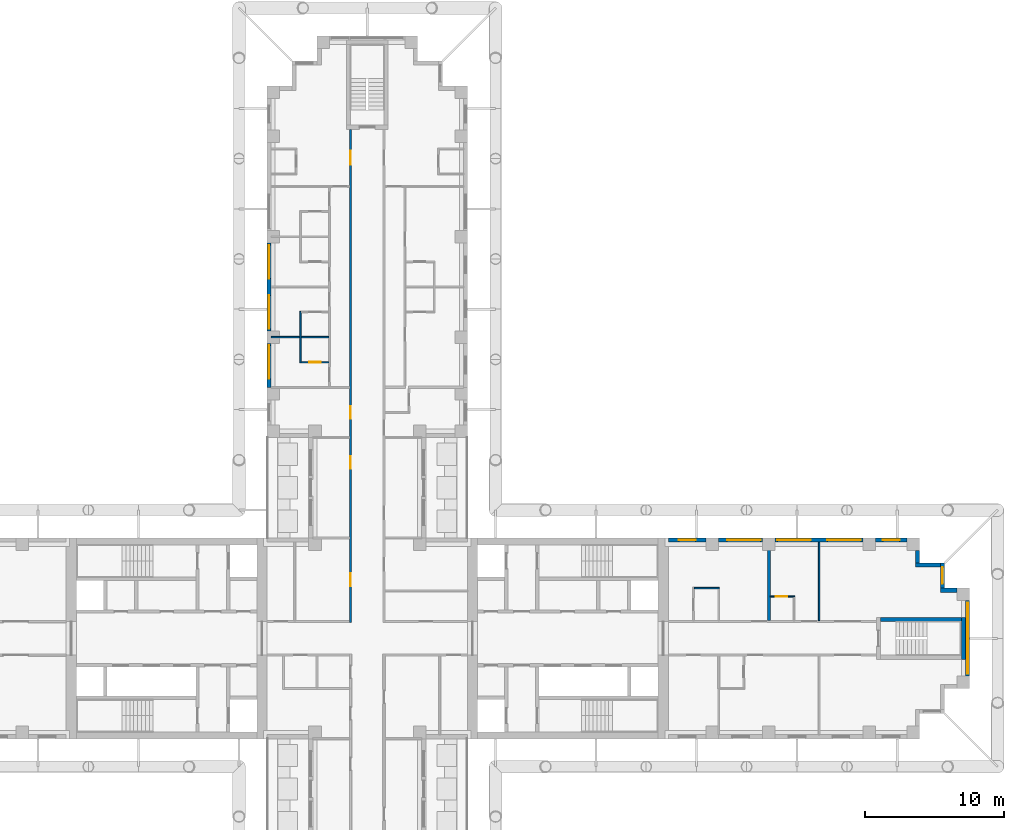
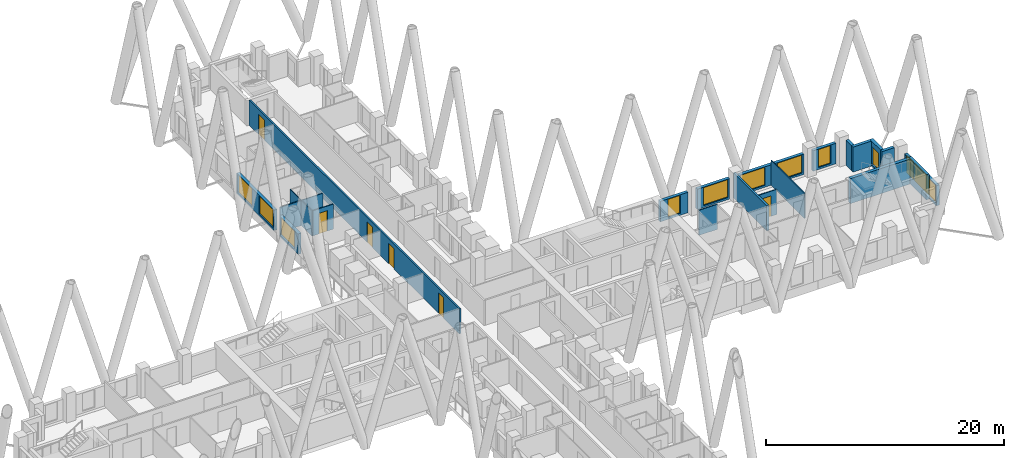
# One storey, part 11 of 17: 21 walls, 12 windows, 6 doors, 18 openings.
"""IFC4 building model written with IfcOpenShell, lengths in metres."""

from ifc_helpers import new_model, si_unit, direction, frame, frame_2d, origin, place, context, subcontext, project, spatial, rectangle, extrude, material, layer, layer_set, type_object, element, fill, save


model = new_model("IFC4")

# Units and contexts
model_context = context("Model", 3, precision=1e-05, world=origin(), true_north=direction((0.0, 1.0)))
body_context = subcontext(model_context, "Body", "Model", "MODEL_VIEW")
ifc_project = project(units=[si_unit("LENGTHUNIT", "METRE"), si_unit("AREAUNIT", "SQUARE_METRE"), si_unit("VOLUMEUNIT", "CUBIC_METRE"), si_unit("PLANEANGLEUNIT", "RADIAN"), si_unit("MASSUNIT", "GRAM", prefix="KILO")], contexts=[model_context])

# Site, building, storey
site_placement = place(None, origin())
site = spatial("IfcSite", under=ifc_project, at=site_placement, CompositionType="ELEMENT")
building_placement = place(site_placement, origin())
building = spatial("IfcBuilding", under=site, at=building_placement, Name="Fustian Cross Tower", CompositionType="ELEMENT")
storey_placement = place(building_placement, frame((0.0, 0.0, 32.699951171875)))
storey = spatial("IfcBuildingStorey", under=building, at=storey_placement, Name="L09", CompositionType="ELEMENT", Elevation=32.699951171875)

# Wall, openings, doors
ifc_material_1 = material(Name="Plasterboard on steel stud", Category="steel")
ifc_layer_1 = layer(ifc_material_1, 0.14990234375)
ifc_layer_set_1 = layer_set([ifc_layer_1], Name="Plasterboard on steel stud")
wall_type_1 = type_object("IfcWallType", Name="COMPARTMENT WALL 150 EI 60", PredefinedType="PARTITIONING", material=ifc_layer_set_1)
wall_1_placement = place(storey_placement, frame((-1.199951171875, 1.125, 0.0), z_axis=(0.0, 0.0, 1.0), x_axis=(0.0, 1.0, 0.0)))
wall_1 = element("IfcWall", 1, at=wall_1_placement, inside=storey, type_object=wall_type_1, Name="Partition 46", PredefinedType="PARTITIONING", context=body_context, shape_type="SweptSolid", body=[
    extrude(rectangle(XDim=35.375, YDim=0.14990234375, at=frame_2d((17.6875, 0.0))), origin(), (0.0, 0.0, 1.0), 2.574951171875),
])
opening_1_placement = place(wall_1_placement, frame((2.625, 0.0, 0.0)))
opening_1 = element("IfcOpeningElement", 2, at=opening_1_placement, cuts=wall_1, Name="Opening D06003", PredefinedType="OPENING", context=body_context, shape_type="SweptSolid", body=[
    extrude(rectangle(XDim=0.89990234375, YDim=2.10009765625, at=frame_2d((0.449951171875, 1.050048828125))), frame((0.0, 0.0849609375, 0.0), z_axis=(0.0, -1.0, 0.0), x_axis=(1.0, 0.0, 0.0)), (0.0, 0.0, 1.0), 0.169921875),
])
opening_2_placement = place(wall_1_placement, frame((11.02490234375, 0.0, 0.0)))
opening_2 = element("IfcOpeningElement", 3, at=opening_2_placement, cuts=wall_1, Name="Opening D06019", PredefinedType="OPENING", context=body_context, shape_type="SweptSolid", body=[
    extrude(rectangle(XDim=0.89990234375, YDim=2.10009765625, at=frame_2d((0.449951171875, 1.050048828125))), frame((0.0, 0.0849609375, 0.0), z_axis=(0.0, -1.0, 0.0), x_axis=(1.0, 0.0, 0.0)), (0.0, 0.0, 1.0), 0.169921875),
])
opening_3_placement = place(wall_1_placement, frame((14.625, 0.0, 0.0)))
opening_3 = element("IfcOpeningElement", 4, at=opening_3_placement, cuts=wall_1, Name="Opening D06020", PredefinedType="OPENING", context=body_context, shape_type="SweptSolid", body=[
    extrude(rectangle(XDim=0.89990234375, YDim=2.10009765625, at=frame_2d((0.449951171875, 1.050048828125))), frame((0.0, 0.0849609375, 0.0), z_axis=(0.0, -1.0, 0.0), x_axis=(1.0, 0.0, 0.0)), (0.0, 0.0, 1.0), 0.169921875),
])
opening_4_placement = place(wall_1_placement, frame((32.824951171875, 0.0, 0.0)))
opening_4 = element("IfcOpeningElement", 5, at=opening_4_placement, cuts=wall_1, Name="Opening D06022", PredefinedType="OPENING", context=body_context, shape_type="SweptSolid", body=[
    extrude(rectangle(XDim=1.0, YDim=2.10009765625, at=frame_2d((0.5, 1.050048828125))), frame((0.0, 0.0849609375, 0.0), z_axis=(0.0, -1.0, 0.0), x_axis=(1.0, 0.0, 0.0)), (0.0, 0.0, 1.0), 0.169921875),
])
ifc_material_2 = material(Name="Timber fire door set", Category="wood")
door_type_1 = type_object("IfcDoorType", Name="FIRE SWING DOOR 1000 FD30S", OperationType="SINGLE_SWING_LEFT", PredefinedType="DOOR", material=ifc_material_2)
door_1_placement = place(opening_4_placement, origin())
door_1 = element("IfcDoor", 6, at=door_1_placement, inside=storey, type_object=door_type_1, Name="Door D06022", OperationType="SINGLE_SWING_LEFT", OverallHeight=2.10009765625, OverallWidth=1.0, PredefinedType="DOOR", context=body_context, shape_type="SweptSolid", body=[
    extrude(rectangle(XDim=1.0, YDim=2.10009765625, at=frame_2d((0.5, 1.050048828125))), frame((0.0, 0.02490234375, 0.0), z_axis=(0.0, -1.0, 0.0), x_axis=(1.0, 0.0, 0.0)), (0.0, 0.0, 1.0), 0.050048828125),
])
fill(opening_4, door_1)
ifc_material_3 = material(Name="Timber fire door set", Category="wood")
door_type_2 = type_object("IfcDoorType", Name="FIRE SWING DOOR 900 FD30S", OperationType="SINGLE_SWING_LEFT", PredefinedType="DOOR", material=ifc_material_3)
door_2_placement = place(opening_1_placement, origin())
door_2 = element("IfcDoor", 7, at=door_2_placement, inside=storey, type_object=door_type_2, Name="Door D06003", OperationType="SINGLE_SWING_LEFT", OverallHeight=2.10009765625, OverallWidth=0.89990234375, PredefinedType="DOOR", context=body_context, shape_type="SweptSolid", body=[
    extrude(rectangle(XDim=0.89990234375, YDim=2.10009765625, at=frame_2d((0.449951171875, 1.050048828125))), frame((0.0, 0.02490234375, 0.0), z_axis=(0.0, -1.0, 0.0), x_axis=(1.0, 0.0, 0.0)), (0.0, 0.0, 1.0), 0.050048828125),
])
fill(opening_1, door_2)
door_3_placement = place(opening_2_placement, origin())
door_3 = element("IfcDoor", 8, at=door_3_placement, inside=storey, type_object=door_type_2, Name="Door D06019", OperationType="SINGLE_SWING_RIGHT", OverallHeight=2.10009765625, OverallWidth=0.89990234375, PredefinedType="DOOR", context=body_context, shape_type="SweptSolid", body=[
    extrude(rectangle(XDim=0.89990234375, YDim=2.10009765625, at=frame_2d((0.449951171875, 1.050048828125))), frame((0.0, 0.02490234375, 0.0), z_axis=(0.0, -1.0, 0.0), x_axis=(1.0, 0.0, 0.0)), (0.0, 0.0, 1.0), 0.050048828125),
])
fill(opening_2, door_3)
door_4_placement = place(opening_3_placement, origin())
door_4 = element("IfcDoor", 9, at=door_4_placement, inside=storey, type_object=door_type_2, Name="Door D06020", OperationType="SINGLE_SWING_LEFT", OverallHeight=2.10009765625, OverallWidth=0.89990234375, PredefinedType="DOOR", context=body_context, shape_type="SweptSolid", body=[
    extrude(rectangle(XDim=0.89990234375, YDim=2.10009765625, at=frame_2d((0.449951171875, 1.050048828125))), frame((0.0, 0.02490234375, 0.0), z_axis=(0.0, -1.0, 0.0), x_axis=(1.0, 0.0, 0.0)), (0.0, 0.0, 1.0), 0.050048828125),
])
fill(opening_3, door_4)

# Walls
ifc_material_4 = material(Name="Plasterboard on steel stud", Category="steel")
ifc_layer_2 = layer(ifc_material_4, 0.10009765625)
ifc_layer_set_2 = layer_set([ifc_layer_2], Name="Plasterboard on steel stud")
wall_type_2 = type_object("IfcWallType", Name="PARTITION 100 STUD", PredefinedType="PARTITIONING", material=ifc_layer_set_2)
wall_2_placement = place(storey_placement, frame((-6.89990234375, 21.60009765625, 0.0), z_axis=(0.0, 0.0, 1.0), x_axis=(1.0, 0.0, 0.0)))
element("IfcWall", 10, at=wall_2_placement, inside=storey, type_object=wall_type_2, Name="Partition 15", PredefinedType="PARTITIONING", context=body_context, shape_type="SweptSolid", body=[
    extrude(rectangle(XDim=4.14990234375, YDim=0.10009765625, at=frame_2d((2.074951171875, 0.0))), origin(), (0.0, 0.0, 1.0), 2.574951171875),
])
wall_3_placement = place(storey_placement, frame((-4.800048828125, 19.75, 0.0), z_axis=(0.0, 0.0, 1.0), x_axis=(0.0, 1.0, 0.0)))
element("IfcWall", 11, at=wall_3_placement, inside=storey, type_object=wall_type_2, Name="Partition 29", PredefinedType="PARTITIONING", context=body_context, shape_type="SweptSolid", body=[
    extrude(rectangle(XDim=3.699951171875, YDim=0.10009765625, at=frame_2d((1.85009765625, 0.0))), origin(), (0.0, 0.0, 1.0), 2.574951171875),
])

# Wall, opening, door
wall_4_placement = place(storey_placement, frame((-4.75, 19.800048828125, 0.0), z_axis=(0.0, 0.0, 1.0), x_axis=(1.0, 0.0, 0.0)))
wall_4 = element("IfcWall", 12, at=wall_4_placement, inside=storey, type_object=wall_type_2, Name="Partition 30", PredefinedType="PARTITIONING", context=body_context, shape_type="SweptSolid", body=[
    extrude(rectangle(XDim=2.0, YDim=0.10009765625, at=frame_2d((1.0, 0.0))), origin(), (0.0, 0.0, 1.0), 2.574951171875),
])
opening_5_placement = place(wall_4_placement, frame((0.60009765625, 0.0, 0.0)))
opening_5 = element("IfcOpeningElement", 13, at=opening_5_placement, cuts=wall_4, Name="Opening D06028", PredefinedType="OPENING", context=body_context, shape_type="SweptSolid", body=[
    extrude(rectangle(XDim=0.800048828125, YDim=2.10009765625, at=frame_2d((0.39990234375, 1.050048828125))), frame((0.0, 0.06005859375, 0.0), z_axis=(0.0, -1.0, 0.0), x_axis=(1.0, 0.0, 0.0)), (0.0, 0.0, 1.0), 0.1201171875),
])
ifc_material_5 = material(Name="Painted timber", Category="wood")
door_type_3 = type_object("IfcDoorType", Name="SWING DOOR 800", OperationType="SINGLE_SWING_LEFT", PredefinedType="DOOR", material=ifc_material_5)
door_5_placement = place(opening_5_placement, origin())
door_5 = element("IfcDoor", 14, at=door_5_placement, inside=storey, type_object=door_type_3, Name="Door D06028", OperationType="SINGLE_SWING_LEFT", OverallHeight=2.10009765625, OverallWidth=0.800048828125, PredefinedType="DOOR", context=body_context, shape_type="SweptSolid", body=[
    extrude(rectangle(XDim=0.800048828125, YDim=2.10009765625, at=frame_2d((0.39990234375, 1.050048828125))), frame((0.0, 0.02490234375, 0.0), z_axis=(0.0, -1.0, 0.0), x_axis=(1.0, 0.0, 0.0)), (0.0, 0.0, 1.0), 0.050048828125),
])
fill(opening_5, door_5)

# Wall
wall_5_placement = place(storey_placement, frame((23.449951171875, 3.60009765625, 0.0), z_axis=(0.0, 0.0, 1.0), x_axis=(1.0, 0.0, 0.0)))
element("IfcWall", 15, at=wall_5_placement, inside=storey, type_object=wall_type_2, Name="Partition 91", PredefinedType="PARTITIONING", context=body_context, shape_type="SweptSolid", body=[
    extrude(rectangle(XDim=1.800048828125, YDim=0.10009765625, at=frame_2d((0.89990234375, 0.0))), origin(), (0.0, 0.0, 1.0), 2.574951171875),
])

# Wall, opening, door
wall_6_placement = place(storey_placement, frame((28.89990234375, 3.0, 0.0), z_axis=(0.0, 0.0, 1.0), x_axis=(1.0, 0.0, 0.0)))
wall_6 = element("IfcWall", 16, at=wall_6_placement, inside=storey, type_object=wall_type_2, Name="Partition 98", PredefinedType="PARTITIONING", context=body_context, shape_type="SweptSolid", body=[
    extrude(rectangle(XDim=1.75, YDim=0.10009765625, at=frame_2d((0.875, 0.0))), origin(), (0.0, 0.0, 1.0), 2.574951171875),
])
opening_6_placement = place(wall_6_placement, frame((0.39990234375, 0.0, 0.0)))
opening_6 = element("IfcOpeningElement", 17, at=opening_6_placement, cuts=wall_6, Name="Opening D06012", PredefinedType="OPENING", context=body_context, shape_type="SweptSolid", body=[
    extrude(rectangle(XDim=0.800048828125, YDim=2.10009765625, at=frame_2d((0.39990234375, 1.050048828125))), frame((0.0, 0.06005859375, 0.0), z_axis=(0.0, -1.0, 0.0), x_axis=(1.0, 0.0, 0.0)), (0.0, 0.0, 1.0), 0.1201171875),
])
door_6_placement = place(opening_6_placement, frame((0.800048828125, 0.0, 0.0), z_axis=(0.0, 0.0, 1.0), x_axis=(-1.0, 0.0, 0.0)))
door_6 = element("IfcDoor", 18, at=door_6_placement, inside=storey, type_object=door_type_3, Name="Door D06012", OperationType="SINGLE_SWING_LEFT", OverallHeight=2.10009765625, OverallWidth=0.800048828125, PredefinedType="DOOR", context=body_context, shape_type="SweptSolid", body=[
    extrude(rectangle(XDim=0.800048828125, YDim=2.10009765625, at=frame_2d((0.39990234375, 1.050048828125))), frame((0.0, 0.02490234375, 0.0), z_axis=(0.0, -1.0, 0.0), x_axis=(1.0, 0.0, 0.0)), (0.0, 0.0, 1.0), 0.050048828125),
])
fill(opening_6, door_6)

# Walls
wall_7_placement = place(storey_placement, frame((32.39990234375, 1.27490234375, 0.0), z_axis=(0.0, 0.0, 1.0), x_axis=(0.0, 1.0, 0.0)))
element("IfcWall", 19, at=wall_7_placement, inside=storey, type_object=wall_type_2, Name="Partition 101", PredefinedType="PARTITIONING", context=body_context, shape_type="SweptSolid", body=[
    extrude(rectangle(XDim=5.625, YDim=0.10009765625, at=frame_2d((2.8125, 0.0))), origin(), (0.0, 0.0, 1.0), 2.574951171875),
])
ifc_material_6 = material(Name="Plasterboard on steel stud", Category="steel")
ifc_layer_3 = layer(ifc_material_6, 0.199951171875)
ifc_layer_set_3 = layer_set([ifc_layer_3], Name="Plasterboard on steel stud")
wall_type_3 = type_object("IfcWallType", Name="PARTY WALL 200 EI 60", PredefinedType="PARTITIONING", material=ifc_layer_set_3)
wall_8_placement = place(storey_placement, frame((28.800048828125, 1.27490234375, 0.0), z_axis=(0.0, 0.0, 1.0), x_axis=(0.0, 1.0, 0.0)))
element("IfcWall", 20, at=wall_8_placement, inside=storey, type_object=wall_type_3, Name="Partition 97", PredefinedType="PARTITIONING", context=body_context, shape_type="SweptSolid", body=[
    extrude(rectangle(XDim=5.625, YDim=0.199951171875, at=frame_2d((2.8125, 0.0))), origin(), (0.0, 0.0, 1.0), 2.574951171875),
])
ifc_material_7 = material(Name="Concrete C50/60", Category="concrete")
ifc_layer_4 = layer(ifc_material_7, 0.300048828125)
ifc_layer_set_4 = layer_set([ifc_layer_4], Name="Concrete C50/60")
wall_type_4 = type_object("IfcWallType", Name="STAIR ENCLOSURE WALL 300 C50/60", PredefinedType="SHEAR", material=ifc_layer_set_4)
wall_9_placement = place(storey_placement, frame((42.75, -1.5, 0.0), z_axis=(0.0, 0.0, 1.0), x_axis=(0.0, 1.0, 0.0)))
element("IfcWall", 21, at=wall_9_placement, inside=storey, type_object=wall_type_4, Name="Stair enclosure wall", PredefinedType="SHEAR", context=body_context, shape_type="SweptSolid", body=[
    extrude(rectangle(XDim=3.0, YDim=0.300048828125, at=frame_2d((1.5, 0.0))), origin(), (0.0, 0.0, 1.0), 2.574951171875),
])
wall_10_placement = place(storey_placement, frame((36.800048828125, 1.35009765625, 0.0), z_axis=(0.0, 0.0, 1.0), x_axis=(1.0, 0.0, 0.0)))
element("IfcWall", 22, at=wall_10_placement, inside=storey, type_object=wall_type_4, Name="Stair enclosure wall", PredefinedType="SHEAR", context=body_context, shape_type="SweptSolid", body=[
    extrude(rectangle(XDim=5.800048828125, YDim=0.300048828125, at=frame_2d((2.89990234375, 0.0))), origin(), (0.0, 0.0, 1.0), 2.574951171875),
])

# Wall, openings, windows
ifc_material_8 = material(Name="Dark aluminium cladding on insulated backing wall", Category="aluminium")
ifc_layer_5 = layer(ifc_material_8, 0.300048828125)
ifc_layer_set_5 = layer_set([ifc_layer_5], Name="Dark aluminium cladding on insulated backing wall")
wall_type_5 = type_object("IfcWallType", Name="XW1 EXTERNAL WALL 300", PredefinedType="SOLIDWALL", material=ifc_layer_set_5)
wall_11_placement = place(storey_placement, frame((43.050048828125, -2.699951171875, 0.0), z_axis=(0.0, 0.0, 1.0), x_axis=(0.0, 1.0, 0.0)))
wall_11 = element("IfcWall", 23, at=wall_11_placement, inside=storey, type_object=wall_type_5, Name="External wall", PredefinedType="SOLIDWALL", context=body_context, shape_type="SweptSolid", body=[
    extrude(rectangle(XDim=5.39990234375, YDim=0.300048828125, at=frame_2d((2.699951171875, 0.0))), origin(), (0.0, 0.0, 1.0), 2.10009765625),
])
opening_7_placement = place(wall_11_placement, frame((1.5, 0.0, 0.199951171875)))
opening_7 = element("IfcOpeningElement", 24, at=opening_7_placement, cuts=wall_11, Name="Opening WN1", PredefinedType="OPENING", context=body_context, shape_type="SweptSolid", body=[
    extrude(rectangle(XDim=2.39990234375, YDim=1.85009765625, at=frame_2d((1.199951171875, 0.925048828125))), frame((0.0, 0.159912109375, 0.0), z_axis=(0.0, -1.0, 0.0), x_axis=(1.0, 0.0, 0.0)), (0.0, 0.0, 1.0), 0.320068359375),
])
opening_8_placement = place(wall_11_placement, frame((0.14990234375, 0.0, 0.199951171875)))
opening_8 = element("IfcOpeningElement", 25, at=opening_8_placement, cuts=wall_11, Name="Opening WN3", PredefinedType="OPENING", context=body_context, shape_type="SweptSolid", body=[
    extrude(rectangle(XDim=1.199951171875, YDim=1.85009765625, at=frame_2d((0.60009765625, 0.925048828125))), frame((0.0, 0.159912109375, 0.0), z_axis=(0.0, -1.0, 0.0), x_axis=(1.0, 0.0, 0.0)), (0.0, 0.0, 1.0), 0.320068359375),
])
opening_9_placement = place(wall_11_placement, frame((4.050048828125, 0.0, 0.199951171875)))
opening_9 = element("IfcOpeningElement", 26, at=opening_9_placement, cuts=wall_11, Name="Opening WN3", PredefinedType="OPENING", context=body_context, shape_type="SweptSolid", body=[
    extrude(rectangle(XDim=1.199951171875, YDim=1.85009765625, at=frame_2d((0.60009765625, 0.925048828125))), frame((0.0, 0.159912109375, 0.0), z_axis=(0.0, -1.0, 0.0), x_axis=(1.0, 0.0, 0.0)), (0.0, 0.0, 1.0), 0.320068359375),
])
ifc_material_9 = material(Name="Dark anodised aluminium and double glazing", Category="aluminium")
window_type_1 = type_object("IfcWindowType", Name="WN1 WINDOW 2400X1850", PartitioningType="SINGLE_PANEL", PredefinedType="WINDOW", material=ifc_material_9)
window_1_placement = place(opening_7_placement, origin())
window_1 = element("IfcWindow", 27, at=window_1_placement, inside=storey, type_object=window_type_1, Name="Window", OverallHeight=1.85009765625, OverallWidth=2.39990234375, PartitioningType="SINGLE_PANEL", PredefinedType="WINDOW", context=body_context, shape_type="SweptSolid", body=[
    extrude(rectangle(XDim=2.39990234375, YDim=1.85009765625, at=frame_2d((1.199951171875, 0.925048828125))), frame((0.0, 0.030029296875, 0.0), z_axis=(0.0, -1.0, 0.0), x_axis=(1.0, 0.0, 0.0)), (0.0, 0.0, 1.0), 0.06005859375),
])
fill(opening_7, window_1)
ifc_material_10 = material(Name="Dark anodised aluminium and double glazing", Category="aluminium")
window_type_2 = type_object("IfcWindowType", Name="WN3 WINDOW 1200X1850", PartitioningType="SINGLE_PANEL", PredefinedType="WINDOW", material=ifc_material_10)
window_2_placement = place(opening_8_placement, origin())
window_2 = element("IfcWindow", 28, at=window_2_placement, inside=storey, type_object=window_type_2, Name="Window", OverallHeight=1.85009765625, OverallWidth=1.199951171875, PartitioningType="SINGLE_PANEL", PredefinedType="WINDOW", context=body_context, shape_type="SweptSolid", body=[
    extrude(rectangle(XDim=1.199951171875, YDim=1.85009765625, at=frame_2d((0.60009765625, 0.925048828125))), frame((0.0, 0.030029296875, 0.0), z_axis=(0.0, -1.0, 0.0), x_axis=(1.0, 0.0, 0.0)), (0.0, 0.0, 1.0), 0.06005859375),
])
fill(opening_8, window_2)
window_3_placement = place(opening_9_placement, origin())
window_3 = element("IfcWindow", 29, at=window_3_placement, inside=storey, type_object=window_type_2, Name="Window", OverallHeight=1.85009765625, OverallWidth=1.199951171875, PartitioningType="SINGLE_PANEL", PredefinedType="WINDOW", context=body_context, shape_type="SweptSolid", body=[
    extrude(rectangle(XDim=1.199951171875, YDim=1.85009765625, at=frame_2d((0.60009765625, 0.925048828125))), frame((0.0, 0.030029296875, 0.0), z_axis=(0.0, -1.0, 0.0), x_axis=(1.0, 0.0, 0.0)), (0.0, 0.0, 1.0), 0.06005859375),
])
fill(opening_9, window_3)

# Wall
wall_12_placement = place(storey_placement, frame((42.300048828125, 3.449951171875, 0.0), z_axis=(0.0, 0.0, 1.0), x_axis=(-1.0, 0.0, 0.0)))
element("IfcWall", 30, at=wall_12_placement, inside=storey, type_object=wall_type_5, Name="External wall", PredefinedType="SOLIDWALL", context=body_context, shape_type="SweptSolid", body=[
    extrude(rectangle(XDim=1.199951171875, YDim=0.300048828125, at=frame_2d((0.60009765625, 0.0))), origin(), (0.0, 0.0, 1.0), 2.574951171875),
])

# Wall, opening, window
wall_13_placement = place(storey_placement, frame((41.25, 3.60009765625, 0.0), z_axis=(0.0, 0.0, 1.0), x_axis=(0.0, 1.0, 0.0)))
wall_13 = element("IfcWall", 31, at=wall_13_placement, inside=storey, type_object=wall_type_5, Name="External wall", PredefinedType="SOLIDWALL", context=body_context, shape_type="SweptSolid", body=[
    extrude(rectangle(XDim=1.7998046875, YDim=0.300048828125, at=frame_2d((0.89990234375, 0.0))), origin(), (0.0, 0.0, 1.0), 2.574951171875),
])
opening_10_placement = place(wall_13_placement, frame((0.300048828125, 0.0, 0.199951171875)))
opening_10 = element("IfcOpeningElement", 32, at=opening_10_placement, cuts=wall_13, Name="Opening WN3", PredefinedType="OPENING", context=body_context, shape_type="SweptSolid", body=[
    extrude(rectangle(XDim=1.199951171875, YDim=1.85009765625, at=frame_2d((0.60009765625, 0.925048828125))), frame((0.0, 0.159912109375, 0.0), z_axis=(0.0, -1.0, 0.0), x_axis=(1.0, 0.0, 0.0)), (0.0, 0.0, 1.0), 0.320068359375),
])
window_4_placement = place(opening_10_placement, origin())
window_4 = element("IfcWindow", 33, at=window_4_placement, inside=storey, type_object=window_type_2, Name="Window", OverallHeight=1.85009765625, OverallWidth=1.199951171875, PartitioningType="SINGLE_PANEL", PredefinedType="WINDOW", context=body_context, shape_type="SweptSolid", body=[
    extrude(rectangle(XDim=1.199951171875, YDim=1.85009765625, at=frame_2d((0.60009765625, 0.925048828125))), frame((0.0, 0.030029296875, 0.0), z_axis=(0.0, -1.0, 0.0), x_axis=(1.0, 0.0, 0.0)), (0.0, 0.0, 1.0), 0.06005859375),
])
fill(opening_10, window_4)

# Walls
wall_14_placement = place(storey_placement, frame((41.10009765625, 5.25, 0.0), z_axis=(0.0, 0.0, 1.0), x_axis=(-1.0, 0.0, 0.0)))
element("IfcWall", 34, at=wall_14_placement, inside=storey, type_object=wall_type_5, Name="External wall", PredefinedType="SOLIDWALL", context=body_context, shape_type="SweptSolid", body=[
    extrude(rectangle(XDim=1.800048828125, YDim=0.300048828125, at=frame_2d((0.89990234375, 0.0))), origin(), (0.0, 0.0, 1.0), 2.574951171875),
])
wall_15_placement = place(storey_placement, frame((39.449951171875, 5.39990234375, 0.0), z_axis=(0.0, 0.0, 1.0), x_axis=(0.0, 1.0, 0.0)))
element("IfcWall", 35, at=wall_15_placement, inside=storey, type_object=wall_type_5, Name="External wall", PredefinedType="SOLIDWALL", context=body_context, shape_type="SweptSolid", body=[
    extrude(rectangle(XDim=0.900146484375, YDim=0.300048828125, at=frame_2d((0.4501953125, 0.0))), origin(), (0.0, 0.0, 1.0), 2.574951171875),
])

# Wall, opening, window
wall_16_placement = place(storey_placement, frame((38.699951171875, 7.050048828125, 0.0), z_axis=(0.0, 0.0, 1.0), x_axis=(-1.0, 0.0, 0.0)))
wall_16 = element("IfcWall", 36, at=wall_16_placement, inside=storey, type_object=wall_type_5, Name="External wall", PredefinedType="SOLIDWALL", context=body_context, shape_type="SweptSolid", body=[
    extrude(rectangle(XDim=2.25, YDim=0.300048828125, at=frame_2d((1.125, 0.0))), origin(), (0.0, 0.0, 1.0), 2.10009765625),
])
opening_11_placement = place(wall_16_placement, frame((0.52490234375, 0.0, 0.199951171875)))
opening_11 = element("IfcOpeningElement", 37, at=opening_11_placement, cuts=wall_16, Name="Opening WN3", PredefinedType="OPENING", context=body_context, shape_type="SweptSolid", body=[
    extrude(rectangle(XDim=1.199951171875, YDim=1.85009765625, at=frame_2d((0.60009765625, 0.925048828125))), frame((0.0, 0.159912109375, 0.0), z_axis=(0.0, -1.0, 0.0), x_axis=(1.0, 0.0, 0.0)), (0.0, 0.0, 1.0), 0.320068359375),
])
window_5_placement = place(opening_11_placement, origin())
window_5 = element("IfcWindow", 38, at=window_5_placement, inside=storey, type_object=window_type_2, Name="Window", OverallHeight=1.85009765625, OverallWidth=1.199951171875, PartitioningType="SINGLE_PANEL", PredefinedType="WINDOW", context=body_context, shape_type="SweptSolid", body=[
    extrude(rectangle(XDim=1.199951171875, YDim=1.85009765625, at=frame_2d((0.60009765625, 0.925048828125))), frame((0.0, 0.030029296875, 0.0), z_axis=(0.0, -1.0, 0.0), x_axis=(1.0, 0.0, 0.0)), (0.0, 0.0, 1.0), 0.06005859375),
])
fill(opening_11, window_5)

# Wall, openings, windows
wall_17_placement = place(storey_placement, frame((35.550048828125, 7.050048828125, 0.0), z_axis=(0.0, 0.0, 1.0), x_axis=(-1.0, 0.0, 0.0)))
wall_17 = element("IfcWall", 39, at=wall_17_placement, inside=storey, type_object=wall_type_5, Name="External wall", PredefinedType="SOLIDWALL", context=body_context, shape_type="SweptSolid", body=[
    extrude(rectangle(XDim=6.300048828125, YDim=0.300048828125, at=frame_2d((3.14990234375, 0.0))), origin(), (0.0, 0.0, 1.0), 2.10009765625),
])
opening_12_placement = place(wall_17_placement, frame((0.14990234375, 0.0, 0.199951171875)))
opening_12 = element("IfcOpeningElement", 40, at=opening_12_placement, cuts=wall_17, Name="Opening WN1", PredefinedType="OPENING", context=body_context, shape_type="SweptSolid", body=[
    extrude(rectangle(XDim=2.39990234375, YDim=1.85009765625, at=frame_2d((1.199951171875, 0.925048828125))), frame((0.0, 0.159912109375, 0.0), z_axis=(0.0, -1.0, 0.0), x_axis=(1.0, 0.0, 0.0)), (0.0, 0.0, 1.0), 0.320068359375),
])
opening_13_placement = place(wall_17_placement, frame((3.75, 0.0, 0.199951171875)))
opening_13 = element("IfcOpeningElement", 41, at=opening_13_placement, cuts=wall_17, Name="Opening WN1", PredefinedType="OPENING", context=body_context, shape_type="SweptSolid", body=[
    extrude(rectangle(XDim=2.39990234375, YDim=1.85009765625, at=frame_2d((1.199951171875, 0.925048828125))), frame((0.0, 0.159912109375, 0.0), z_axis=(0.0, -1.0, 0.0), x_axis=(1.0, 0.0, 0.0)), (0.0, 0.0, 1.0), 0.320068359375),
])
window_6_placement = place(opening_12_placement, origin())
window_6 = element("IfcWindow", 42, at=window_6_placement, inside=storey, type_object=window_type_1, Name="Window", OverallHeight=1.85009765625, OverallWidth=2.39990234375, PartitioningType="SINGLE_PANEL", PredefinedType="WINDOW", context=body_context, shape_type="SweptSolid", body=[
    extrude(rectangle(XDim=2.39990234375, YDim=1.85009765625, at=frame_2d((1.199951171875, 0.925048828125))), frame((0.0, 0.030029296875, 0.0), z_axis=(0.0, -1.0, 0.0), x_axis=(1.0, 0.0, 0.0)), (0.0, 0.0, 1.0), 0.06005859375),
])
fill(opening_12, window_6)
window_7_placement = place(opening_13_placement, origin())
window_7 = element("IfcWindow", 43, at=window_7_placement, inside=storey, type_object=window_type_1, Name="Window", OverallHeight=1.85009765625, OverallWidth=2.39990234375, PartitioningType="SINGLE_PANEL", PredefinedType="WINDOW", context=body_context, shape_type="SweptSolid", body=[
    extrude(rectangle(XDim=2.39990234375, YDim=1.85009765625, at=frame_2d((1.199951171875, 0.925048828125))), frame((0.0, 0.030029296875, 0.0), z_axis=(0.0, -1.0, 0.0), x_axis=(1.0, 0.0, 0.0)), (0.0, 0.0, 1.0), 0.06005859375),
])
fill(opening_13, window_7)

# Wall, opening, window
wall_18_placement = place(storey_placement, frame((28.35009765625, 7.050048828125, 0.0), z_axis=(0.0, 0.0, 1.0), x_axis=(-1.0, 0.0, 0.0)))
wall_18 = element("IfcWall", 44, at=wall_18_placement, inside=storey, type_object=wall_type_5, Name="External wall", PredefinedType="SOLIDWALL", context=body_context, shape_type="SweptSolid", body=[
    extrude(rectangle(XDim=3.150146484375, YDim=0.300048828125, at=frame_2d((1.5751953125, 0.0))), origin(), (0.0, 0.0, 1.0), 2.10009765625),
])
opening_14_placement = place(wall_18_placement, frame((0.14990234375, 0.0, 0.199951171875)))
opening_14 = element("IfcOpeningElement", 45, at=opening_14_placement, cuts=wall_18, Name="Opening WN1", PredefinedType="OPENING", context=body_context, shape_type="SweptSolid", body=[
    extrude(rectangle(XDim=2.39990234375, YDim=1.85009765625, at=frame_2d((1.199951171875, 0.925048828125))), frame((0.0, 0.159912109375, 0.0), z_axis=(0.0, -1.0, 0.0), x_axis=(1.0, 0.0, 0.0)), (0.0, 0.0, 1.0), 0.320068359375),
])
window_8_placement = place(opening_14_placement, origin())
window_8 = element("IfcWindow", 46, at=window_8_placement, inside=storey, type_object=window_type_1, Name="Window", OverallHeight=1.85009765625, OverallWidth=2.39990234375, PartitioningType="SINGLE_PANEL", PredefinedType="WINDOW", context=body_context, shape_type="SweptSolid", body=[
    extrude(rectangle(XDim=2.39990234375, YDim=1.85009765625, at=frame_2d((1.199951171875, 0.925048828125))), frame((0.0, 0.030029296875, 0.0), z_axis=(0.0, -1.0, 0.0), x_axis=(1.0, 0.0, 0.0)), (0.0, 0.0, 1.0), 0.06005859375),
])
fill(opening_14, window_8)

wall_19_placement = place(storey_placement, frame((24.300048828125, 7.050048828125, 0.0), z_axis=(0.0, 0.0, 1.0), x_axis=(-1.0, 0.0, 0.0)))
wall_19 = element("IfcWall", 47, at=wall_19_placement, inside=storey, type_object=wall_type_5, Name="External wall", PredefinedType="SOLIDWALL", context=body_context, shape_type="SweptSolid", body=[
    extrude(rectangle(XDim=2.699951171875, YDim=0.300048828125, at=frame_2d((1.35009765625, 0.0))), origin(), (0.0, 0.0, 1.0), 2.10009765625),
])
opening_15_placement = place(wall_19_placement, frame((0.75, 0.0, 0.199951171875)))
opening_15 = element("IfcOpeningElement", 48, at=opening_15_placement, cuts=wall_19, Name="Opening WN3", PredefinedType="OPENING", context=body_context, shape_type="SweptSolid", body=[
    extrude(rectangle(XDim=1.199951171875, YDim=1.85009765625, at=frame_2d((0.60009765625, 0.925048828125))), frame((0.0, 0.159912109375, 0.0), z_axis=(0.0, -1.0, 0.0), x_axis=(1.0, 0.0, 0.0)), (0.0, 0.0, 1.0), 0.320068359375),
])
window_9_placement = place(opening_15_placement, origin())
window_9 = element("IfcWindow", 49, at=window_9_placement, inside=storey, type_object=window_type_2, Name="Window", OverallHeight=1.85009765625, OverallWidth=1.199951171875, PartitioningType="SINGLE_PANEL", PredefinedType="WINDOW", context=body_context, shape_type="SweptSolid", body=[
    extrude(rectangle(XDim=1.199951171875, YDim=1.85009765625, at=frame_2d((0.60009765625, 0.925048828125))), frame((0.0, 0.030029296875, 0.0), z_axis=(0.0, -1.0, 0.0), x_axis=(1.0, 0.0, 0.0)), (0.0, 0.0, 1.0), 0.06005859375),
])
fill(opening_15, window_9)

# Wall, openings, windows
wall_20_placement = place(storey_placement, frame((-7.050048828125, 28.35009765625, 0.0), z_axis=(0.0, 0.0, 1.0), x_axis=(0.0, -1.0, 0.0)))
wall_20 = element("IfcWall", 50, at=wall_20_placement, inside=storey, type_object=wall_type_5, Name="External wall", PredefinedType="SOLIDWALL", context=body_context, shape_type="SweptSolid", body=[
    extrude(rectangle(XDim=6.300048828125, YDim=0.300048828125, at=frame_2d((3.14990234375, 0.0))), origin(), (0.0, 0.0, 1.0), 2.10009765625),
])
opening_16_placement = place(wall_20_placement, frame((0.14990234375, 0.0, 0.199951171875)))
opening_16 = element("IfcOpeningElement", 51, at=opening_16_placement, cuts=wall_20, Name="Opening WN1", PredefinedType="OPENING", context=body_context, shape_type="SweptSolid", body=[
    extrude(rectangle(XDim=2.39990234375, YDim=1.85009765625, at=frame_2d((1.199951171875, 0.925048828125))), frame((0.0, 0.159912109375, 0.0), z_axis=(0.0, -1.0, 0.0), x_axis=(1.0, 0.0, 0.0)), (0.0, 0.0, 1.0), 0.320068359375),
])
opening_17_placement = place(wall_20_placement, frame((3.75, 0.0, 0.199951171875)))
opening_17 = element("IfcOpeningElement", 52, at=opening_17_placement, cuts=wall_20, Name="Opening WN1", PredefinedType="OPENING", context=body_context, shape_type="SweptSolid", body=[
    extrude(rectangle(XDim=2.39990234375, YDim=1.85009765625, at=frame_2d((1.199951171875, 0.925048828125))), frame((0.0, 0.159912109375, 0.0), z_axis=(0.0, -1.0, 0.0), x_axis=(1.0, 0.0, 0.0)), (0.0, 0.0, 1.0), 0.320068359375),
])
window_10_placement = place(opening_16_placement, origin())
window_10 = element("IfcWindow", 53, at=window_10_placement, inside=storey, type_object=window_type_1, Name="Window", OverallHeight=1.85009765625, OverallWidth=2.39990234375, PartitioningType="SINGLE_PANEL", PredefinedType="WINDOW", context=body_context, shape_type="SweptSolid", body=[
    extrude(rectangle(XDim=2.39990234375, YDim=1.85009765625, at=frame_2d((1.199951171875, 0.925048828125))), frame((0.0, 0.030029296875, 0.0), z_axis=(0.0, -1.0, 0.0), x_axis=(1.0, 0.0, 0.0)), (0.0, 0.0, 1.0), 0.06005859375),
])
fill(opening_16, window_10)
window_11_placement = place(opening_17_placement, origin())
window_11 = element("IfcWindow", 54, at=window_11_placement, inside=storey, type_object=window_type_1, Name="Window", OverallHeight=1.85009765625, OverallWidth=2.39990234375, PartitioningType="SINGLE_PANEL", PredefinedType="WINDOW", context=body_context, shape_type="SweptSolid", body=[
    extrude(rectangle(XDim=2.39990234375, YDim=1.85009765625, at=frame_2d((1.199951171875, 0.925048828125))), frame((0.0, 0.030029296875, 0.0), z_axis=(0.0, -1.0, 0.0), x_axis=(1.0, 0.0, 0.0)), (0.0, 0.0, 1.0), 0.06005859375),
])
fill(opening_17, window_11)

# Wall, opening, window
wall_21_placement = place(storey_placement, frame((-7.050048828125, 21.14990234375, 0.0), z_axis=(0.0, 0.0, 1.0), x_axis=(0.0, -1.0, 0.0)))
wall_21 = element("IfcWall", 55, at=wall_21_placement, inside=storey, type_object=wall_type_5, Name="External wall", PredefinedType="SOLIDWALL", context=body_context, shape_type="SweptSolid", body=[
    extrude(rectangle(XDim=3.14990234375, YDim=0.300048828125, at=frame_2d((1.574951171875, 0.0))), origin(), (0.0, 0.0, 1.0), 2.10009765625),
])
opening_18_placement = place(wall_21_placement, frame((0.14990234375, 0.0, 0.199951171875)))
opening_18 = element("IfcOpeningElement", 56, at=opening_18_placement, cuts=wall_21, Name="Opening WN1", PredefinedType="OPENING", context=body_context, shape_type="SweptSolid", body=[
    extrude(rectangle(XDim=2.39990234375, YDim=1.85009765625, at=frame_2d((1.199951171875, 0.925048828125))), frame((0.0, 0.159912109375, 0.0), z_axis=(0.0, -1.0, 0.0), x_axis=(1.0, 0.0, 0.0)), (0.0, 0.0, 1.0), 0.320068359375),
])
window_12_placement = place(opening_18_placement, origin())
window_12 = element("IfcWindow", 57, at=window_12_placement, inside=storey, type_object=window_type_1, Name="Window", OverallHeight=1.85009765625, OverallWidth=2.39990234375, PartitioningType="SINGLE_PANEL", PredefinedType="WINDOW", context=body_context, shape_type="SweptSolid", body=[
    extrude(rectangle(XDim=2.39990234375, YDim=1.85009765625, at=frame_2d((1.199951171875, 0.925048828125))), frame((0.0, 0.030029296875, 0.0), z_axis=(0.0, -1.0, 0.0), x_axis=(1.0, 0.0, 0.0)), (0.0, 0.0, 1.0), 0.06005859375),
])
fill(opening_18, window_12)

save(model, "model.ifc")
